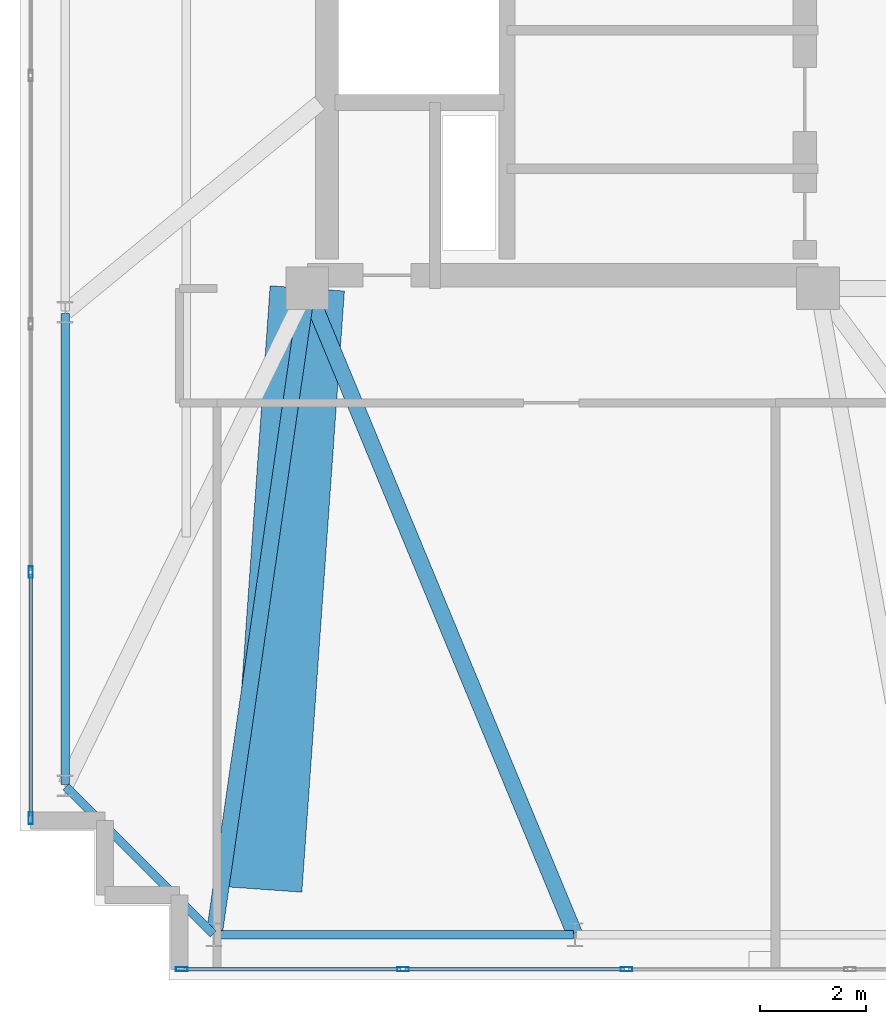
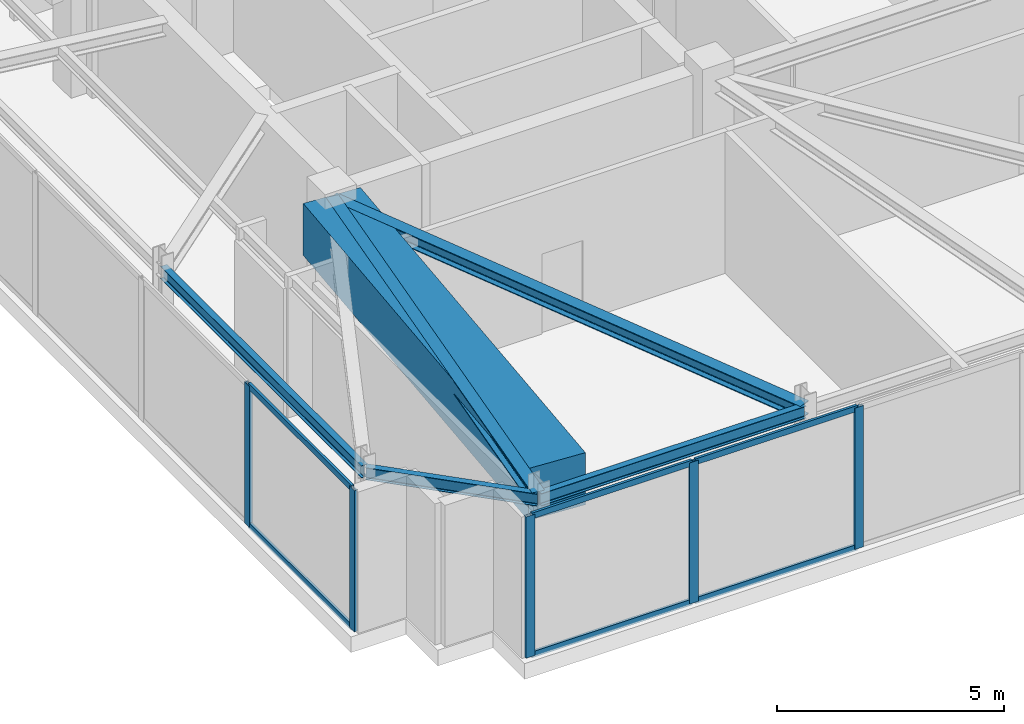
# One storey, part 4 of 27: 11 members, 6 beams, 2 elements without a shape of their own.
"""IFC4 building model written with IfcOpenShell, lengths in metres."""

from ifc_helpers import new_model, si_unit, direction, frame, origin, origin_2d, place, context, subcontext, project, spatial, rectangle, hollow_rectangle, i_section, extrude, material, layer, layer_set, material_profile, profile_set, type_object, element, aggregate, save


model = new_model("IFC4")

# Units and contexts
model_context = context("Model", 3, precision=1e-05, world=origin(), true_north=direction((0.0, 1.0)))
body_context = subcontext(model_context, "Body", "Model", "MODEL_VIEW")
ifc_project = project(units=[si_unit("LENGTHUNIT", "METRE"), si_unit("AREAUNIT", "SQUARE_METRE"), si_unit("VOLUMEUNIT", "CUBIC_METRE"), si_unit("PLANEANGLEUNIT", "RADIAN"), si_unit("MASSUNIT", "GRAM", prefix="KILO")], contexts=[model_context])

# Site, building, storey
site_placement = place(None, origin())
site = spatial("IfcSite", under=ifc_project, at=site_placement, CompositionType="ELEMENT")
building_placement = place(site_placement, origin())
building = spatial("IfcBuilding", under=site, at=building_placement, Name="Qobustan Lattice House", CompositionType="ELEMENT")
storey_placement = place(building_placement, frame((0.0, 0.0, 266.0)))
storey = spatial("IfcBuildingStorey", under=building, at=storey_placement, Name="L75", CompositionType="ELEMENT", Elevation=266.0)

# Beams
ifc_material_1 = material(Name="Steel S355", Category="steel")
ifc_material_profile_1 = material_profile(ifc_material_1, i_section(OverallWidth=0.300048828125, OverallDepth=0.360107421875, WebThickness=0.012451171875, FlangeThickness=0.0224609375, FilletRadius=0.027099609375, at=origin_2d()), Name="HEB360")
ifc_profile_set_1 = profile_set([ifc_material_profile_1], Name="Steel S355")
beam_type_1 = type_object("IfcBeamType", Name="BM-FLG-HEB360", PredefinedType="USERDEFINED", material=ifc_profile_set_1)
beam_1_placement = place(storey_placement, frame((-20.54638671875, -17.725341796875, 3.6201171875), z_axis=(0.142545171265, 0.989788297642, 0.0), x_axis=(-0.989788297642, 0.142545171265, 0.0)))
element("IfcBeam", 1, at=beam_1_placement, inside=storey, type_object=beam_type_1, Name="L75 primary floor girder RAD-S1W", ObjectType="GIRDER", PredefinedType="USERDEFINED", context=body_context, shape_type="SweptSolid", body=[
    extrude(i_section(OverallWidth=0.300048828125, OverallDepth=0.360107421875, WebThickness=0.012451171875, FlangeThickness=0.0224609375, FilletRadius=0.027099609375, at=origin_2d()), origin(), (0.0, 0.0, 1.0), 12.225341796875),
])
beam_2_placement = place(storey_placement, frame((-13.7763671875, -17.726806640625, 3.6201171875), z_axis=(-0.38270783551, 0.92386942402, 0.0), x_axis=(-0.92386942402, -0.38270783551, 0.0)))
element("IfcBeam", 2, at=beam_2_placement, inside=storey, type_object=beam_type_1, Name="L75 primary floor girder RAD-S2", ObjectType="GIRDER", PredefinedType="USERDEFINED", context=body_context, shape_type="SweptSolid", body=[
    extrude(i_section(OverallWidth=0.300048828125, OverallDepth=0.360107421875, WebThickness=0.012451171875, FlangeThickness=0.0224609375, FilletRadius=0.027099609375, at=origin_2d()), origin(), (0.0, 0.0, 1.0), 13.10107421875),
])
ifc_material_2 = material(Name="Steel S355", Category="steel")
ifc_material_profile_2 = material_profile(ifc_material_2, i_section(OverallWidth=0.159912109375, OverallDepth=0.330078125, WebThickness=0.007568359375, FlangeThickness=0.011474609375, FilletRadius=0.01806640625, at=origin_2d()), Name="IPE330")
ifc_profile_set_2 = profile_set([ifc_material_profile_2], Name="Steel S355")
beam_type_2 = type_object("IfcBeamType", Name="BM-SPD-IPE330", PredefinedType="SPANDREL", material=ifc_profile_set_2)
beam_3_placement = place(storey_placement, frame((-20.52490234375, -17.75, 3.635009765625), z_axis=(1.0, 0.0, 0.0), x_axis=(0.0, 1.0, 0.0)))
element("IfcBeam", 3, at=beam_3_placement, inside=storey, type_object=beam_type_2, Name="L75 perimeter spandrel S1-S2", PredefinedType="SPANDREL", context=body_context, shape_type="SweptSolid", body=[
    extrude(i_section(OverallWidth=0.159912109375, OverallDepth=0.330078125, WebThickness=0.007568359375, FlangeThickness=0.011474609375, FilletRadius=0.01806640625, at=origin_2d()), origin(), (0.0, 0.0, 1.0), 6.733154296875),
])
beam_4_placement = place(storey_placement, frame((-23.35009765625, -6.074951171875, 3.635009765625), z_axis=(0.0, -1.0, 0.0), x_axis=(1.0, 0.0, 0.0)))
element("IfcBeam", 4, at=beam_4_placement, inside=storey, type_object=beam_type_2, Name="L75 perimeter spandrel W3-W4", PredefinedType="SPANDREL", context=body_context, shape_type="SweptSolid", body=[
    extrude(i_section(OverallWidth=0.159912109375, OverallDepth=0.330078125, WebThickness=0.007568359375, FlangeThickness=0.011474609375, FilletRadius=0.01806640625, at=origin_2d()), origin(), (0.0, 0.0, 1.0), 8.85009765625),
])
beam_5_placement = place(storey_placement, frame((-23.332275390625, -14.9677734375, 3.635009765625), z_axis=(0.707106781187, -0.707106781187, 0.0), x_axis=(0.707106781187, 0.707106781187, 0.0)))
element("IfcBeam", 5, at=beam_5_placement, inside=storey, type_object=beam_type_2, Name="L75 perimeter spandrel W4-S1", PredefinedType="SPANDREL", context=body_context, shape_type="SweptSolid", body=[
    extrude(i_section(OverallWidth=0.159912109375, OverallDepth=0.330078125, WebThickness=0.007568359375, FlangeThickness=0.011474609375, FilletRadius=0.01806640625, at=origin_2d()), origin(), (0.0, 0.0, 1.0), 3.909912109375),
])
ifc_material_3 = material(Name="Concrete C60/75", Category="concrete")
ifc_material_profile_3 = material_profile(ifc_material_3, rectangle(XDim=1.39990234375, YDim=1.39990234375, at=origin_2d()), Name="RC1400x1400")
ifc_profile_set_3 = profile_set([ifc_material_profile_3], Name="Concrete C60/75")
beam_type_3 = type_object("IfcBeamType", Name="BM-TRG-RC1400", PredefinedType="USERDEFINED", material=ifc_profile_set_3)
beam_6_placement = place(storey_placement, frame((-18.800048828125, -5.60009765625, 3.10009765625), z_axis=(-0.07062520691, -0.997502922376, 0.0), x_axis=(0.997502922376, -0.07062520691, 0.0)))
element("IfcBeam", 6, at=beam_6_placement, inside=storey, type_object=beam_type_3, Name="L75 crown base transfer girder 1", ObjectType="GIRDER", PredefinedType="USERDEFINED", context=body_context, shape_type="SweptSolid", body=[
    extrude(rectangle(XDim=1.39990234375, YDim=1.39990234375, at=origin_2d()), origin(), (0.0, 0.0, 1.0), 11.328125),
])

# Curtain wall, members
ifc_material_4 = material(Name="Anodised aluminium and low-E glazing", Category="aluminium")
ifc_layer = layer(ifc_material_4, 0.219970703125)
ifc_layer_set = layer_set([ifc_layer], Name="Anodised aluminium and low-E glazing")
curtain_wall_type = type_object("IfcCurtainWallType", Name="CW-OBS-01", PredefinedType="USERDEFINED", material=ifc_layer_set)
curtain_wall_1_placement = place(storey_placement, origin())
curtain_wall_1 = element("IfcCurtainWall", 7, at=curtain_wall_1_placement, inside=storey, type_object=curtain_wall_type, Name="L75 W panoramic observation curtain wall", ObjectType="CURTAIN WALL", PredefinedType="USERDEFINED")
ifc_material_5 = material(Name="Anodised aluminium EN AW-6063 T6", Category="aluminium")
ifc_material_profile_4 = material_profile(ifc_material_5, hollow_rectangle(XDim=0.080078125, YDim=0.219970703125, WallThickness=0.0048828125, at=origin_2d()), Name="CWM-220x80")
ifc_profile_set_4 = profile_set([ifc_material_profile_4], Name="Anodised aluminium EN AW-6063 T6")
member_type_1 = type_object("IfcMemberType", Name="CWM-MAIN-220", PredefinedType="MULLION", material=ifc_profile_set_4)
member_1_placement = place(storey_placement, frame((-24.0, -15.56005859375, 0.0), z_axis=(0.0, 0.0, 1.0), x_axis=(-1.0, 0.0, 0.0)))
member_1 = element("IfcMember", 8, at=member_1_placement, type_object=member_type_1, Name="CW-OB mullion 1", PredefinedType="MULLION", context=body_context, shape_type="SweptSolid", body=[
    extrude(hollow_rectangle(XDim=0.080078125, YDim=0.219970703125, WallThickness=0.0048828125, at=origin_2d()), origin(), (0.0, 0.0, 1.0), 3.800048828125),
])
member_2_placement = place(storey_placement, frame((-24.0, -10.933349609375, 0.0), z_axis=(0.0, 0.0, 1.0), x_axis=(-1.0, 0.0, 0.0)))
member_2 = element("IfcMember", 9, at=member_2_placement, type_object=member_type_1, Name="CW-OB mullion 2", PredefinedType="MULLION", context=body_context, shape_type="SweptSolid", body=[
    extrude(hollow_rectangle(XDim=0.080078125, YDim=0.219970703125, WallThickness=0.0048828125, at=origin_2d()), origin(), (0.0, 0.0, 1.0), 3.800048828125),
])

curtain_wall_2_placement = place(storey_placement, origin())
curtain_wall_2 = element("IfcCurtainWall", 10, at=curtain_wall_2_placement, inside=storey, type_object=curtain_wall_type, Name="L75 S panoramic observation curtain wall", ObjectType="CURTAIN WALL", PredefinedType="USERDEFINED")
member_3_placement = place(storey_placement, frame((-12.800048828125, -18.39990234375, 0.0), z_axis=(0.0, 0.0, 1.0), x_axis=(0.0, -1.0, 0.0)))
member_3 = element("IfcMember", 11, at=member_3_placement, type_object=member_type_1, Name="CW-OB mullion 9", PredefinedType="MULLION", context=body_context, shape_type="SweptSolid", body=[
    extrude(hollow_rectangle(XDim=0.080078125, YDim=0.219970703125, WallThickness=0.0048828125, at=origin_2d()), origin(), (0.0, 0.0, 1.0), 3.800048828125),
])
member_4_placement = place(storey_placement, frame((-17.0, -18.39990234375, 0.0), z_axis=(0.0, 0.0, 1.0), x_axis=(0.0, -1.0, 0.0)))
member_4 = element("IfcMember", 12, at=member_4_placement, type_object=member_type_1, Name="CW-OB mullion 10", PredefinedType="MULLION", context=body_context, shape_type="SweptSolid", body=[
    extrude(hollow_rectangle(XDim=0.080078125, YDim=0.219970703125, WallThickness=0.0048828125, at=origin_2d()), origin(), (0.0, 0.0, 1.0), 3.800048828125),
])
member_5_placement = place(storey_placement, frame((-21.159912109375, -18.39990234375, 0.0), z_axis=(0.0, 0.0, 1.0), x_axis=(0.0, -1.0, 0.0)))
member_5 = element("IfcMember", 13, at=member_5_placement, type_object=member_type_1, Name="CW-OB mullion 11", PredefinedType="MULLION", context=body_context, shape_type="SweptSolid", body=[
    extrude(hollow_rectangle(XDim=0.080078125, YDim=0.219970703125, WallThickness=0.0048828125, at=origin_2d()), origin(), (0.0, 0.0, 1.0), 3.800048828125),
])

# Member
ifc_material_6 = material(Name="Anodised aluminium EN AW-6063 T6", Category="aluminium")
ifc_material_profile_5 = material_profile(ifc_material_6, hollow_rectangle(XDim=0.06494140625, YDim=0.159912109375, WallThickness=0.00390625, at=origin_2d()), Name="CWT-160x65")
ifc_profile_set_5 = profile_set([ifc_material_profile_5], Name="Anodised aluminium EN AW-6063 T6")
member_type_2 = type_object("IfcMemberType", Name="CWT-HOR-160", PredefinedType="USERDEFINED", material=ifc_profile_set_5)
member_6_placement = place(storey_placement, frame((-24.0, -15.52001953125, 0.032470703125), z_axis=(0.0, 1.0, 0.0), x_axis=(-1.0, 0.0, 0.0)))
member_6 = element("IfcMember", 14, at=member_6_placement, type_object=member_type_2, Name="CW-OB transom 1.1", ObjectType="TRANSOM", PredefinedType="USERDEFINED", context=body_context, shape_type="SweptSolid", body=[
    extrude(hollow_rectangle(XDim=0.06494140625, YDim=0.159912109375, WallThickness=0.00390625, at=origin_2d()), origin(), (0.0, 0.0, 1.0), 4.546630859375),
])

member_7_placement = place(storey_placement, frame((-24.0, -15.52001953125, 3.767578125), z_axis=(0.0, 1.0, 0.0), x_axis=(-1.0, 0.0, 0.0)))
member_7 = element("IfcMember", 15, at=member_7_placement, type_object=member_type_2, Name="CW-OB transom 1.2", ObjectType="TRANSOM", PredefinedType="USERDEFINED", context=body_context, shape_type="SweptSolid", body=[
    extrude(hollow_rectangle(XDim=0.06494140625, YDim=0.159912109375, WallThickness=0.00390625, at=origin_2d()), origin(), (0.0, 0.0, 1.0), 4.546630859375),
])

aggregate(curtain_wall_1, [member_1, member_2, member_6, member_7])

member_8_placement = place(storey_placement, frame((-12.840087890625, -18.39990234375, 0.032470703125), z_axis=(-1.0, 0.0, 0.0), x_axis=(0.0, -1.0, 0.0)))
member_8 = element("IfcMember", 16, at=member_8_placement, type_object=member_type_2, Name="CW-OB transom 9.1", ObjectType="TRANSOM", PredefinedType="USERDEFINED", context=body_context, shape_type="SweptSolid", body=[
    extrude(hollow_rectangle(XDim=0.06494140625, YDim=0.159912109375, WallThickness=0.00390625, at=origin_2d()), origin(), (0.0, 0.0, 1.0), 4.119873046875),
])

member_9_placement = place(storey_placement, frame((-12.840087890625, -18.39990234375, 3.767578125), z_axis=(-1.0, 0.0, 0.0), x_axis=(0.0, -1.0, 0.0)))
member_9 = element("IfcMember", 17, at=member_9_placement, type_object=member_type_2, Name="CW-OB transom 9.2", ObjectType="TRANSOM", PredefinedType="USERDEFINED", context=body_context, shape_type="SweptSolid", body=[
    extrude(hollow_rectangle(XDim=0.06494140625, YDim=0.159912109375, WallThickness=0.00390625, at=origin_2d()), origin(), (0.0, 0.0, 1.0), 4.119873046875),
])

member_10_placement = place(storey_placement, frame((-17.0400390625, -18.39990234375, 0.032470703125), z_axis=(-1.0, 0.0, 0.0), x_axis=(0.0, -1.0, 0.0)))
member_10 = element("IfcMember", 18, at=member_10_placement, type_object=member_type_2, Name="CW-OB transom 10.1", ObjectType="TRANSOM", PredefinedType="USERDEFINED", context=body_context, shape_type="SweptSolid", body=[
    extrude(hollow_rectangle(XDim=0.06494140625, YDim=0.159912109375, WallThickness=0.00390625, at=origin_2d()), origin(), (0.0, 0.0, 1.0), 4.080078125),
])

member_11_placement = place(storey_placement, frame((-17.0400390625, -18.39990234375, 3.767578125), z_axis=(-1.0, 0.0, 0.0), x_axis=(0.0, -1.0, 0.0)))
member_11 = element("IfcMember", 19, at=member_11_placement, type_object=member_type_2, Name="CW-OB transom 10.2", ObjectType="TRANSOM", PredefinedType="USERDEFINED", context=body_context, shape_type="SweptSolid", body=[
    extrude(hollow_rectangle(XDim=0.06494140625, YDim=0.159912109375, WallThickness=0.00390625, at=origin_2d()), origin(), (0.0, 0.0, 1.0), 4.080078125),
])

aggregate(curtain_wall_2, [member_3, member_4, member_5, member_8, member_9, member_10, member_11])

save(model, "model.ifc")
